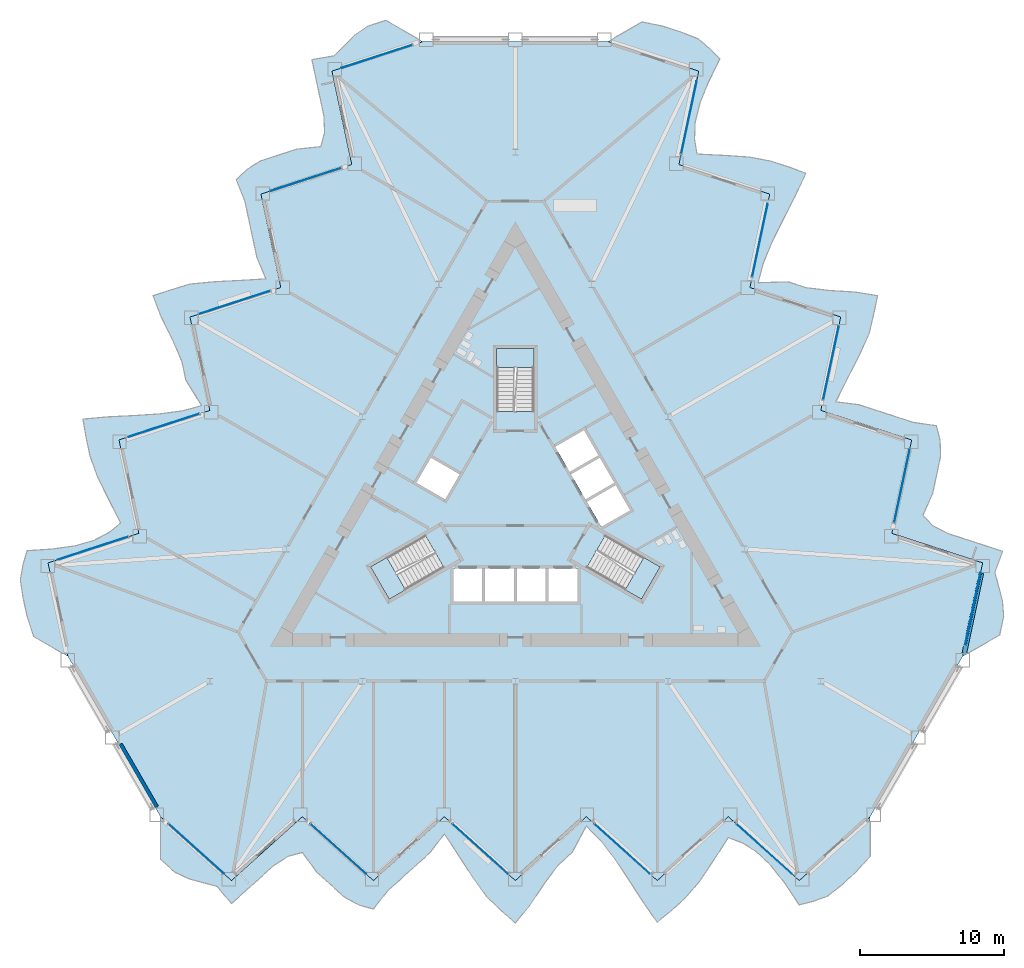
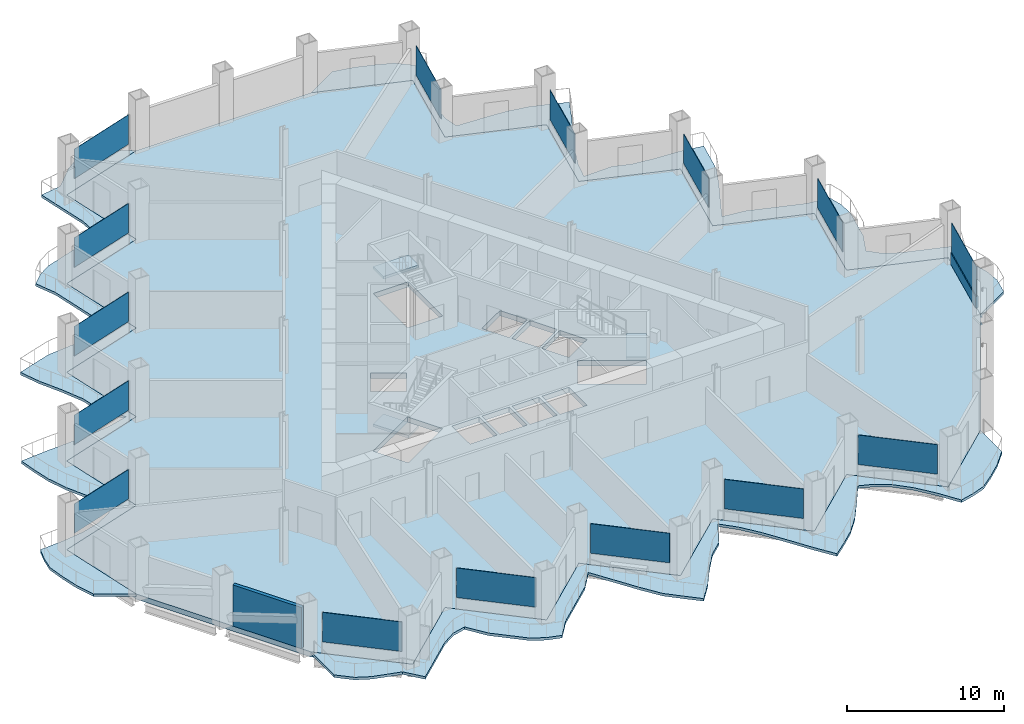
# One storey, part 8 of 21: 15 plates, 7 slabs, 1 beam, 1 member, 1 wall, 18 elements without a shape of their own.
"""IFC4 building model written with IfcOpenShell, lengths in metres."""

from ifc_helpers import new_model, si_unit, direction, frame, frame_2d, origin, origin_2d, place, context, subcontext, project, spatial, polyline, rectangle, i_section, outline, extrude, material, layer, layer_set, material_profile, profile_set, type_object, element, aggregate, save


model = new_model("IFC4")

# Units and contexts
model_context = context("Model", 3, precision=1e-05, world=origin(), true_north=direction((0.0, 1.0)))
body_context = subcontext(model_context, "Body", "Model", "MODEL_VIEW")
ifc_project = project(units=[si_unit("LENGTHUNIT", "METRE"), si_unit("AREAUNIT", "SQUARE_METRE"), si_unit("VOLUMEUNIT", "CUBIC_METRE"), si_unit("PLANEANGLEUNIT", "RADIAN"), si_unit("MASSUNIT", "GRAM", prefix="KILO")], contexts=[model_context])

# Site, building, storey
site_placement = place(None, origin())
site = spatial("IfcSite", under=ifc_project, at=site_placement, CompositionType="ELEMENT")
building_placement = place(site_placement, origin())
building = spatial("IfcBuilding", under=site, at=building_placement, Name="Cormorant Prow Tower", CompositionType="ELEMENT")
storey_placement = place(building_placement, frame((0.0, 0.0, 72.0)))
storey = spatial("IfcBuildingStorey", under=building, at=storey_placement, Name="L15", CompositionType="ELEMENT", Elevation=72.0)

# Curtain wall, member
ifc_material_1 = material(Name="Aluminium 6063-T6", Category="aluminium")
ifc_layer_1 = layer(ifc_material_1, 0.199951171875)
ifc_layer_set_1 = layer_set([ifc_layer_1], Name="Aluminium 6063-T6")
curtain_wall_type = type_object("IfcCurtainWallType", Name="Office unitised curtain wall 200", PredefinedType="NOTDEFINED", material=ifc_layer_set_1)
curtain_wall_1_placement = place(storey_placement, origin())
curtain_wall_1 = element("IfcCurtainWall", 1, at=curtain_wall_1_placement, inside=storey, type_object=curtain_wall_type, Name="Office curtain wall ENE00", PredefinedType="NOTDEFINED")
ifc_material_2 = material(Name="Terracotta", Category="masonry")
ifc_material_profile_1 = material_profile(ifc_material_2, rectangle(XDim=0.159912109375, YDim=0.89990234375, at=origin_2d()), Name="Office terracotta spandrel rail 160x900")
ifc_profile_set_1 = profile_set([ifc_material_profile_1], Name="Terracotta")
member_type = type_object("IfcMemberType", Name="Office terracotta spandrel rail 160x900", PredefinedType="USERDEFINED", material=ifc_profile_set_1)
member_placement = place(storey_placement, frame((31.15869140625, -9.744384765625, 0.449951171875), z_axis=(0.207897305086, 0.978150658405, 0.0), x_axis=(-0.978150658405, 0.207897305086, 0.0)))
member = element("IfcMember", 2, at=member_placement, type_object=member_type, Name="Office spandrel rail ENE00", ObjectType="TRANSOM", PredefinedType="USERDEFINED", context=body_context, shape_type="SweptSolid", body=[
    extrude(rectangle(XDim=0.159912109375, YDim=0.89990234375, at=origin_2d()), origin(), (0.0, 0.0, 1.0), 5.150634765625),
])

# Beam
ifc_material_3 = material(Name="Structural steel ASTM A992 Gr 50", Category="steel")
ifc_material_profile_2 = material_profile(ifc_material_3, i_section(OverallWidth=0.32373046875, OverallDepth=0.611083984375, WebThickness=0.0126953125, FlangeThickness=0.01904296875, at=origin_2d()), Name="W24x104")
ifc_profile_set_2 = profile_set([ifc_material_profile_2], Name="Structural steel ASTM A992 Gr 50")
beam_type = type_object("IfcBeamType", Name="Spandrel beam W24x104", PredefinedType="SPANDREL", material=ifc_profile_set_2)
beam_placement = place(storey_placement, frame((31.10400390625, -10.28466796875, -0.70556640625), z_axis=(0.207900376723, 0.97815000555, 0.0), x_axis=(-0.97815000555, 0.207900376723, 0.0)))
element("IfcBeam", 3, at=beam_placement, inside=storey, type_object=beam_type, Name="Spandrel beam SB1 ENE00-ENE01 L15", PredefinedType="SPANDREL", context=body_context, shape_type="SweptSolid", body=[
    extrude(i_section(OverallWidth=0.32373046875, OverallDepth=0.611083984375, WebThickness=0.0126953125, FlangeThickness=0.01904296875, at=origin_2d()), origin(), (0.0, 0.0, 1.0), 5.6826171875),
])

# Slabs
ifc_material_4 = material(Name="Concrete C40/50", Category="concrete")
ifc_layer_2 = layer(ifc_material_4, 0.199951171875)
ifc_layer_set_2 = layer_set([ifc_layer_2], Name="Concrete C40/50")
slab_type_1 = type_object("IfcSlabType", Name="Balcony slab 200", PredefinedType="FLOOR", material=ifc_layer_set_2)
slab_1_placement = place(storey_placement, frame((0.0, 0.0, -0.199951171875)))
element("IfcSlab", 4, at=slab_1_placement, inside=storey, type_object=slab_type_1, Name="Balcony slab S L15", PredefinedType="FLOOR", context=body_context, shape_type="SweptSolid", body=[
    extrude(outline(polyline([(-24.585205078125, -21.6015625), (-24.585205078125, -24.551513671875), (-23.601806640625, -25.43701171875), (-22.618408203125, -25.906005859375), (-21.635009765625, -26.172607421875), (-20.651611328125, -26.435546875), (-19.668212890625, -27.62890625), (-18.684814453125, -26.743408203125), (-17.701416015625, -25.85791015625), (-16.7177734375, -24.972412109375), (-15.734375, -24.342529296875), (-14.7509765625, -24.083251953125), (-13.767578125, -25.43701171875), (-12.7841796875, -26.322509765625), (-11.80078125, -27.207763671875), (-10.8173828125, -27.72705078125), (-9.833984375, -28.002685546875), (-8.8505859375, -26.743408203125), (-7.8671875, -25.85791015625), (-6.8837890625, -24.972412109375), (-5.900390625, -24.0869140625), (-4.9169921875, -22.793212890625), (-3.93359375, -24.28369140625), (-2.9501953125, -25.80126953125), (-1.966796875, -27.179443359375), (-0.9833984375, -28.09326171875), (0.0, -28.978759765625), (0.9833984375, -27.775634765625), (1.966796875, -26.29052734375), (2.9501953125, -24.972412109375), (3.93359375, -24.0869140625), (4.9169921875, -22.26025390625), (5.900390625, -23.236328125), (6.8837890625, -24.516357421875), (7.8671875, -25.995849609375), (8.8505859375, -27.51806640625), (9.833984375, -28.9150390625), (10.8173828125, -28.09326171875), (11.80078125, -27.207763671875), (12.7841796875, -26.0517578125), (13.767578125, -24.578125), (14.7509765625, -23.05419921875), (15.734375, -23.4189453125), (16.7177734375, -24.03955078125), (17.701416015625, -24.9853515625), (18.684814453125, -26.240966796875), (19.668212890625, -27.70849609375), (20.651611328125, -27.463134765625), (21.635009765625, -27.10693359375), (22.618408203125, -26.322509765625), (23.601806640625, -25.43701171875), (24.585205078125, -24.326171875), (24.585205078125, -21.6015625), (23.601806640625, -22.487060546875), (22.618408203125, -23.372314453125), (21.635009765625, -24.2578125), (20.651611328125, -25.143310546875), (19.668212890625, -26.02880859375), (18.684814453125, -25.143310546875), (17.701416015625, -24.2578125), (16.7177734375, -23.372314453125), (15.734375, -22.487060546875), (14.7509765625, -21.6015625), (13.767578125, -22.487060546875), (12.7841796875, -23.372314453125), (11.80078125, -24.2578125), (10.8173828125, -25.143310546875), (9.833984375, -26.02880859375), (8.8505859375, -25.143310546875), (7.8671875, -24.2578125), (6.8837890625, -23.372314453125), (5.900390625, -22.487060546875), (4.9169921875, -21.6015625), (3.93359375, -22.487060546875), (2.9501953125, -23.372314453125), (1.966796875, -24.2578125), (0.9833984375, -25.143310546875), (0.0, -26.02880859375), (-0.9833984375, -25.143310546875), (-1.966796875, -24.2578125), (-2.9501953125, -23.372314453125), (-3.93359375, -22.487060546875), (-4.9169921875, -21.6015625), (-5.900390625, -22.487060546875), (-6.8837890625, -23.372314453125), (-7.8671875, -24.2578125), (-8.8505859375, -25.143310546875), (-9.833984375, -26.02880859375), (-10.8173828125, -25.143310546875), (-11.80078125, -24.2578125), (-12.7841796875, -23.372314453125), (-13.767578125, -22.487060546875), (-14.7509765625, -21.6015625), (-15.734375, -22.487060546875), (-16.7177734375, -23.372314453125), (-17.701416015625, -24.2578125), (-18.684814453125, -25.143310546875), (-19.668212890625, -26.02880859375), (-20.651611328125, -25.143310546875), (-21.635009765625, -24.2578125), (-22.618408203125, -23.372314453125), (-23.601806640625, -22.487060546875), (-24.585205078125, -21.6015625)])), origin(), (0.0, 0.0, 1.0), 0.199951171875),
])
slab_2_placement = place(storey_placement, frame((0.0, 0.0, -0.199951171875)))
element("IfcSlab", 5, at=slab_2_placement, inside=storey, type_object=slab_type_1, Name="Balcony slab ENE L15", PredefinedType="FLOOR", context=body_context, shape_type="SweptSolid", body=[
    extrude(outline(polyline([(31.0, -10.49072265625), (33.5546875, -9.015625), (33.829833984375, -7.72119140625), (33.744384765625, -6.635009765625), (33.483642578125, -5.650146484375), (33.219482421875, -4.6669921875), (33.76123046875, -3.21875), (32.502685546875, -2.809814453125), (31.244140625, -2.40087890625), (29.985595703125, -1.991943359375), (28.948486328125, -1.455078125), (28.232421875, -0.733154296875), (28.912841796875, 0.79541015625), (29.18798828125, 2.089599609375), (29.463134765625, 3.384033203125), (29.421142578125, 4.495361328125), (29.16796875, 5.48486328125), (27.585693359375, 5.706787109375), (26.3271484375, 6.11572265625), (25.068603515625, 6.524658203125), (23.81005859375, 6.93359375), (22.197998046875, 7.138427734375), (22.9970703125, 8.735107421875), (23.81982421875, 10.345703125), (24.521484375, 11.886474609375), (24.8212890625, 13.195068359375), (25.096435546875, 14.489501953125), (23.562744140625, 14.739501953125), (21.784912109375, 14.8486328125), (20.151611328125, 15.041259765625), (18.89306640625, 15.4501953125), (16.8193359375, 15.388427734375), (17.173095703125, 16.72802734375), (17.789794921875, 18.2197265625), (18.579345703125, 19.81103515625), (19.406005859375, 21.424072265625), (20.124267578125, 22.97412109375), (18.9208984375, 23.414794921875), (17.662353515625, 23.82373046875), (16.16943359375, 24.097412109375), (14.401611328125, 24.212158203125), (12.58984375, 24.3017578125), (12.414306640625, 25.3359375), (12.4599609375, 26.497802734375), (12.787353515625, 27.822509765625), (13.383056640625, 29.302001953125), (14.162109375, 30.88720703125), (13.4580078125, 31.6162109375), (12.65771484375, 32.289794921875), (11.48681640625, 32.749267578125), (10.228271484375, 33.158203125), (8.774658203125, 33.45458984375), (6.414794921875, 32.092041015625), (7.67333984375, 31.68310546875), (8.931884765625, 31.274169921875), (10.1904296875, 30.865234375), (11.448974609375, 30.456298828125), (12.70751953125, 30.04736328125), (12.432373046875, 28.753173828125), (12.1572265625, 27.458740234375), (11.882080078125, 26.164306640625), (11.60693359375, 24.869873046875), (11.331787109375, 23.575439453125), (12.59033203125, 23.166748046875), (13.848876953125, 22.7578125), (15.107421875, 22.348876953125), (16.365966796875, 21.93994140625), (17.62451171875, 21.531005859375), (17.349365234375, 20.236572265625), (17.07421875, 18.942138671875), (16.799072265625, 17.647705078125), (16.52392578125, 16.353515625), (16.2490234375, 15.05908203125), (17.507568359375, 14.650146484375), (18.765869140625, 14.2412109375), (20.0244140625, 13.832275390625), (21.282958984375, 13.42333984375), (22.54150390625, 13.014404296875), (22.266357421875, 11.719970703125), (21.991455078125, 10.425537109375), (21.71630859375, 9.13134765625), (21.441162109375, 7.8369140625), (21.166015625, 6.54248046875), (22.424560546875, 6.133544921875), (23.68310546875, 5.724609375), (24.941650390625, 5.315673828125), (26.2001953125, 4.90673828125), (27.458740234375, 4.497802734375), (27.18359375, 3.203369140625), (26.908447265625, 1.9091796875), (26.63330078125, 0.61474609375), (26.358154296875, -0.6796875), (26.0830078125, -1.97412109375), (27.341552734375, -2.383056640625), (28.60009765625, -2.7919921875), (29.858642578125, -3.200927734375), (31.1171875, -3.60986328125), (32.375732421875, -4.018798828125), (32.1005859375, -5.31298828125), (31.825439453125, -6.607421875), (31.55029296875, -7.90185546875), (31.275146484375, -9.1962890625), (31.0, -10.49072265625)])), origin(), (0.0, 0.0, 1.0), 0.199951171875),
])
slab_3_placement = place(storey_placement, frame((0.0, 0.0, -0.199951171875)))
element("IfcSlab", 6, at=slab_3_placement, inside=storey, type_object=slab_type_1, Name="Balcony slab WNW L15", PredefinedType="FLOOR", context=body_context, shape_type="SweptSolid", body=[
    extrude(outline(polyline([(-6.414794921875, 32.092041015625), (-8.9697265625, 33.567138671875), (-10.228271484375, 33.158203125), (-11.1259765625, 32.541015625), (-11.8486328125, 31.82275390625), (-12.568115234375, 31.1025390625), (-14.09326171875, 30.847412109375), (-13.818115234375, 29.552978515625), (-13.54296875, 28.2587890625), (-13.267822265625, 26.96435546875), (-13.214111328125, 25.7978515625), (-13.481201171875, 24.81640625), (-15.145263671875, 24.6416015625), (-16.40380859375, 24.232666015625), (-17.662353515625, 23.82373046875), (-18.603515625, 23.231689453125), (-19.333984375, 22.517822265625), (-18.735107421875, 21.03662109375), (-18.4599609375, 19.7421875), (-18.184814453125, 18.44775390625), (-17.90966796875, 17.1533203125), (-17.281005859375, 15.65478515625), (-19.0634765625, 15.54833984375), (-20.86962890625, 15.45556640625), (-22.5546875, 15.29296875), (-23.837890625, 14.8984375), (-25.096435546875, 14.489501953125), (-24.546142578125, 13.0361328125), (-23.751708984375, 11.44189453125), (-23.101806640625, 9.93115234375), (-22.82666015625, 8.636962890625), (-21.736328125, 6.871826171875), (-23.073486328125, 6.50830078125), (-24.673583984375, 6.296630859375), (-26.44677734375, 6.1845703125), (-28.2568359375, 6.09423828125), (-29.958251953125, 5.94091796875), (-29.73828125, 4.678466796875), (-29.463134765625, 3.384033203125), (-28.95361328125, 1.954345703125), (-28.169189453125, 0.365966796875), (-27.341064453125, -1.247802734375), (-28.148681640625, -1.9169921875), (-29.177734375, -2.45849609375), (-30.48876953125, -2.837158203125), (-32.067626953125, -3.06103515625), (-33.830322265625, -3.178955078125), (-34.109375, -4.1533203125), (-34.292724609375, -5.182861328125), (-34.10498046875, -6.4267578125), (-33.829833984375, -7.72119140625), (-33.359619140625, -9.128173828125), (-31.0, -10.49072265625), (-31.275146484375, -9.1962890625), (-31.55029296875, -7.90185546875), (-31.825439453125, -6.607421875), (-32.1005859375, -5.31298828125), (-32.375732421875, -4.018798828125), (-31.1171875, -3.60986328125), (-29.858642578125, -3.200927734375), (-28.60009765625, -2.7919921875), (-27.341552734375, -2.383056640625), (-26.0830078125, -1.97412109375), (-26.358154296875, -0.6796875), (-26.63330078125, 0.61474609375), (-26.908447265625, 1.9091796875), (-27.18359375, 3.203369140625), (-27.458740234375, 4.497802734375), (-26.2001953125, 4.90673828125), (-24.941650390625, 5.315673828125), (-23.68310546875, 5.724609375), (-22.424560546875, 6.133544921875), (-21.166015625, 6.54248046875), (-21.441162109375, 7.8369140625), (-21.71630859375, 9.13134765625), (-21.991455078125, 10.425537109375), (-22.266357421875, 11.719970703125), (-22.54150390625, 13.014404296875), (-21.282958984375, 13.42333984375), (-20.0244140625, 13.832275390625), (-18.765869140625, 14.2412109375), (-17.507568359375, 14.650146484375), (-16.2490234375, 15.05908203125), (-16.52392578125, 16.353515625), (-16.799072265625, 17.647705078125), (-17.07421875, 18.942138671875), (-17.349365234375, 20.236572265625), (-17.62451171875, 21.531005859375), (-16.365966796875, 21.93994140625), (-15.107421875, 22.348876953125), (-13.848876953125, 22.7578125), (-12.59033203125, 23.166748046875), (-11.331787109375, 23.575439453125), (-11.60693359375, 24.869873046875), (-11.882080078125, 26.164306640625), (-12.1572265625, 27.458740234375), (-12.432373046875, 28.753173828125), (-12.70751953125, 30.04736328125), (-11.448974609375, 30.456298828125), (-10.1904296875, 30.865234375), (-8.931884765625, 31.274169921875), (-7.67333984375, 31.68310546875), (-6.414794921875, 32.092041015625)])), origin(), (0.0, 0.0, 1.0), 0.199951171875),
])

# Curtain wall, plate
curtain_wall_2_placement = place(storey_placement, origin())
curtain_wall_2 = element("IfcCurtainWall", 7, at=curtain_wall_2_placement, inside=storey, type_object=curtain_wall_type, Name="Office curtain wall S00", PredefinedType="NOTDEFINED")
ifc_material_5 = material(Name="Clear glass", Category="glass")
ifc_layer_3 = layer(ifc_material_5, 0.031982421875)
ifc_layer_set_3 = layer_set([ifc_layer_3], Name="Clear glass")
plate_type = type_object("IfcPlateType", Name="Office glass panel 32", PredefinedType="CURTAIN_PANEL", material=ifc_layer_set_3)
plate_1_placement = place(storey_placement, frame((-22.104248046875, -23.835205078125, 0.89990234375), z_axis=(0.0, 0.0, 1.0), x_axis=(0.743144817746, -0.669130614945, 0.0)))
plate_1 = element("IfcPlate", 8, at=plate_1_placement, type_object=plate_type, Name="Office glass panel S00", PredefinedType="CURTAIN_PANEL", context=body_context, shape_type="SweptSolid", body=[
    extrude(rectangle(XDim=5.150634765625, YDim=0.031982421875, at=origin_2d()), origin(), (0.0, 0.0, 1.0), 2.288818359375),
])
aggregate(curtain_wall_2, [plate_1])

curtain_wall_3_placement = place(storey_placement, origin())
curtain_wall_3 = element("IfcCurtainWall", 9, at=curtain_wall_3_placement, inside=storey, type_object=curtain_wall_type, Name="Office curtain wall S02", PredefinedType="NOTDEFINED")
plate_2_placement = place(storey_placement, frame((-12.270263671875, -23.835205078125, 0.89990234375), z_axis=(0.0, 0.0, 1.0), x_axis=(0.743144817746, -0.669130614945, 0.0)))
plate_2 = element("IfcPlate", 10, at=plate_2_placement, type_object=plate_type, Name="Office glass panel S02", PredefinedType="CURTAIN_PANEL", context=body_context, shape_type="SweptSolid", body=[
    extrude(rectangle(XDim=5.150634765625, YDim=0.031982421875, at=origin_2d()), origin(), (0.0, 0.0, 1.0), 2.288818359375),
])
aggregate(curtain_wall_3, [plate_2])

curtain_wall_4_placement = place(storey_placement, origin())
curtain_wall_4 = element("IfcCurtainWall", 11, at=curtain_wall_4_placement, inside=storey, type_object=curtain_wall_type, Name="Office curtain wall S04", PredefinedType="NOTDEFINED")
plate_3_placement = place(storey_placement, frame((-2.436279296875, -23.835205078125, 0.89990234375), z_axis=(0.0, 0.0, 1.0), x_axis=(0.743144817746, -0.669130614945, 0.0)))
plate_3 = element("IfcPlate", 12, at=plate_3_placement, type_object=plate_type, Name="Office glass panel S04", PredefinedType="CURTAIN_PANEL", context=body_context, shape_type="SweptSolid", body=[
    extrude(rectangle(XDim=5.150634765625, YDim=0.031982421875, at=origin_2d()), origin(), (0.0, 0.0, 1.0), 2.288818359375),
])
aggregate(curtain_wall_4, [plate_3])

curtain_wall_5_placement = place(storey_placement, origin())
curtain_wall_5 = element("IfcCurtainWall", 13, at=curtain_wall_5_placement, inside=storey, type_object=curtain_wall_type, Name="Office curtain wall S06", PredefinedType="NOTDEFINED")
plate_4_placement = place(storey_placement, frame((7.39794921875, -23.835205078125, 0.89990234375), z_axis=(0.0, 0.0, 1.0), x_axis=(0.743144817746, -0.669130614945, 0.0)))
plate_4 = element("IfcPlate", 14, at=plate_4_placement, type_object=plate_type, Name="Office glass panel S06", PredefinedType="CURTAIN_PANEL", context=body_context, shape_type="SweptSolid", body=[
    extrude(rectangle(XDim=5.150634765625, YDim=0.031982421875, at=origin_2d()), origin(), (0.0, 0.0, 1.0), 2.288818359375),
])
aggregate(curtain_wall_5, [plate_4])

curtain_wall_6_placement = place(storey_placement, origin())
curtain_wall_6 = element("IfcCurtainWall", 15, at=curtain_wall_6_placement, inside=storey, type_object=curtain_wall_type, Name="Office curtain wall S08", PredefinedType="NOTDEFINED")
plate_5_placement = place(storey_placement, frame((17.23193359375, -23.835205078125, 0.89990234375), z_axis=(0.0, 0.0, 1.0), x_axis=(0.743144817746, -0.669130614945, 0.0)))
plate_5 = element("IfcPlate", 16, at=plate_5_placement, type_object=plate_type, Name="Office glass panel S08", PredefinedType="CURTAIN_PANEL", context=body_context, shape_type="SweptSolid", body=[
    extrude(rectangle(XDim=5.150634765625, YDim=0.031982421875, at=origin_2d()), origin(), (0.0, 0.0, 1.0), 2.288818359375),
])
aggregate(curtain_wall_6, [plate_5])

# Plate
plate_6_placement = place(storey_placement, frame((31.694091796875, -7.225341796875, 0.89990234375), z_axis=(0.0, 0.0, 1.0), x_axis=(0.20791175581, 0.978147586919, 0.0)))
plate_6 = element("IfcPlate", 17, at=plate_6_placement, type_object=plate_type, Name="Office glass panel ENE00", PredefinedType="CURTAIN_PANEL", context=body_context, shape_type="SweptSolid", body=[
    extrude(rectangle(XDim=5.150634765625, YDim=0.031982421875, at=origin_2d()), origin(), (0.0, 0.0, 1.0), 2.288818359375),
])

aggregate(curtain_wall_1, [member, plate_6])

# Curtain wall, plate
curtain_wall_7_placement = place(storey_placement, origin())
curtain_wall_7 = element("IfcCurtainWall", 18, at=curtain_wall_7_placement, inside=storey, type_object=curtain_wall_type, Name="Office curtain wall ENE02", PredefinedType="NOTDEFINED")
plate_7_placement = place(storey_placement, frame((26.777099609375, 1.291259765625, 0.89990234375), z_axis=(0.0, 0.0, 1.0), x_axis=(0.20791175581, 0.978147586919, 0.0)))
plate_7 = element("IfcPlate", 19, at=plate_7_placement, type_object=plate_type, Name="Office glass panel ENE02", PredefinedType="CURTAIN_PANEL", context=body_context, shape_type="SweptSolid", body=[
    extrude(rectangle(XDim=5.150634765625, YDim=0.031982421875, at=origin_2d()), origin(), (0.0, 0.0, 1.0), 2.288818359375),
])
aggregate(curtain_wall_7, [plate_7])

curtain_wall_8_placement = place(storey_placement, origin())
curtain_wall_8 = element("IfcCurtainWall", 20, at=curtain_wall_8_placement, inside=storey, type_object=curtain_wall_type, Name="Office curtain wall ENE04", PredefinedType="NOTDEFINED")
plate_8_placement = place(storey_placement, frame((21.860107421875, 9.807861328125, 0.89990234375), z_axis=(0.0, 0.0, 1.0), x_axis=(0.20791175581, 0.978147586919, 0.0)))
plate_8 = element("IfcPlate", 21, at=plate_8_placement, type_object=plate_type, Name="Office glass panel ENE04", PredefinedType="CURTAIN_PANEL", context=body_context, shape_type="SweptSolid", body=[
    extrude(rectangle(XDim=5.150634765625, YDim=0.031982421875, at=origin_2d()), origin(), (0.0, 0.0, 1.0), 2.288818359375),
])
aggregate(curtain_wall_8, [plate_8])

curtain_wall_9_placement = place(storey_placement, origin())
curtain_wall_9 = element("IfcCurtainWall", 22, at=curtain_wall_9_placement, inside=storey, type_object=curtain_wall_type, Name="Office curtain wall ENE06", PredefinedType="NOTDEFINED")
plate_9_placement = place(storey_placement, frame((16.94287109375, 18.32421875, 0.89990234375), z_axis=(0.0, 0.0, 1.0), x_axis=(0.20791175581, 0.978147586919, 0.0)))
plate_9 = element("IfcPlate", 23, at=plate_9_placement, type_object=plate_type, Name="Office glass panel ENE06", PredefinedType="CURTAIN_PANEL", context=body_context, shape_type="SweptSolid", body=[
    extrude(rectangle(XDim=5.150634765625, YDim=0.031982421875, at=origin_2d()), origin(), (0.0, 0.0, 1.0), 2.288818359375),
])
aggregate(curtain_wall_9, [plate_9])

curtain_wall_10_placement = place(storey_placement, origin())
curtain_wall_10 = element("IfcCurtainWall", 24, at=curtain_wall_10_placement, inside=storey, type_object=curtain_wall_type, Name="Office curtain wall ENE08", PredefinedType="NOTDEFINED")
plate_10_placement = place(storey_placement, frame((12.02587890625, 26.8408203125, 0.89990234375), z_axis=(0.0, 0.0, 1.0), x_axis=(0.20791175581, 0.978147586919, 0.0)))
plate_10 = element("IfcPlate", 25, at=plate_10_placement, type_object=plate_type, Name="Office glass panel ENE08", PredefinedType="CURTAIN_PANEL", context=body_context, shape_type="SweptSolid", body=[
    extrude(rectangle(XDim=5.150634765625, YDim=0.031982421875, at=origin_2d()), origin(), (0.0, 0.0, 1.0), 2.288818359375),
])
aggregate(curtain_wall_10, [plate_10])

curtain_wall_11_placement = place(storey_placement, origin())
curtain_wall_11 = element("IfcCurtainWall", 26, at=curtain_wall_11_placement, inside=storey, type_object=curtain_wall_type, Name="Office curtain wall WNW00", PredefinedType="NOTDEFINED")
plate_11_placement = place(storey_placement, frame((-9.58984375, 31.060546875, 0.89990234375), z_axis=(0.0, 0.0, 1.0), x_axis=(-0.951056531806, -0.309016946636, 0.0)))
plate_11 = element("IfcPlate", 27, at=plate_11_placement, type_object=plate_type, Name="Office glass panel WNW00", PredefinedType="CURTAIN_PANEL", context=body_context, shape_type="SweptSolid", body=[
    extrude(rectangle(XDim=5.150634765625, YDim=0.031982421875, at=origin_2d()), origin(), (0.0, 0.0, 1.0), 2.288818359375),
])
aggregate(curtain_wall_11, [plate_11])

curtain_wall_12_placement = place(storey_placement, origin())
curtain_wall_12 = element("IfcCurtainWall", 28, at=curtain_wall_12_placement, inside=storey, type_object=curtain_wall_type, Name="Office curtain wall WNW02", PredefinedType="NOTDEFINED")
plate_12_placement = place(storey_placement, frame((-14.5068359375, 22.5439453125, 0.89990234375), z_axis=(0.0, 0.0, 1.0), x_axis=(-0.951056531806, -0.309016946636, 0.0)))
plate_12 = element("IfcPlate", 29, at=plate_12_placement, type_object=plate_type, Name="Office glass panel WNW02", PredefinedType="CURTAIN_PANEL", context=body_context, shape_type="SweptSolid", body=[
    extrude(rectangle(XDim=5.150634765625, YDim=0.031982421875, at=origin_2d()), origin(), (0.0, 0.0, 1.0), 2.288818359375),
])
aggregate(curtain_wall_12, [plate_12])

curtain_wall_13_placement = place(storey_placement, origin())
curtain_wall_13 = element("IfcCurtainWall", 30, at=curtain_wall_13_placement, inside=storey, type_object=curtain_wall_type, Name="Office curtain wall WNW04", PredefinedType="NOTDEFINED")
plate_13_placement = place(storey_placement, frame((-19.423828125, 14.02734375, 0.89990234375), z_axis=(0.0, 0.0, 1.0), x_axis=(-0.951056531806, -0.309016946636, 0.0)))
plate_13 = element("IfcPlate", 31, at=plate_13_placement, type_object=plate_type, Name="Office glass panel WNW04", PredefinedType="CURTAIN_PANEL", context=body_context, shape_type="SweptSolid", body=[
    extrude(rectangle(XDim=5.150634765625, YDim=0.031982421875, at=origin_2d()), origin(), (0.0, 0.0, 1.0), 2.288818359375),
])
aggregate(curtain_wall_13, [plate_13])

curtain_wall_14_placement = place(storey_placement, origin())
curtain_wall_14 = element("IfcCurtainWall", 32, at=curtain_wall_14_placement, inside=storey, type_object=curtain_wall_type, Name="Office curtain wall WNW06", PredefinedType="NOTDEFINED")
plate_14_placement = place(storey_placement, frame((-24.3408203125, 5.510986328125, 0.89990234375), z_axis=(0.0, 0.0, 1.0), x_axis=(-0.951056531806, -0.309016946636, 0.0)))
plate_14 = element("IfcPlate", 33, at=plate_14_placement, type_object=plate_type, Name="Office glass panel WNW06", PredefinedType="CURTAIN_PANEL", context=body_context, shape_type="SweptSolid", body=[
    extrude(rectangle(XDim=5.150634765625, YDim=0.031982421875, at=origin_2d()), origin(), (0.0, 0.0, 1.0), 2.288818359375),
])
aggregate(curtain_wall_14, [plate_14])

curtain_wall_15_placement = place(storey_placement, origin())
curtain_wall_15 = element("IfcCurtainWall", 34, at=curtain_wall_15_placement, inside=storey, type_object=curtain_wall_type, Name="Office curtain wall WNW08", PredefinedType="NOTDEFINED")
plate_15_placement = place(storey_placement, frame((-29.2578125, -3.005615234375, 0.89990234375), z_axis=(0.0, 0.0, 1.0), x_axis=(-0.951056531806, -0.309016946636, 0.0)))
plate_15 = element("IfcPlate", 35, at=plate_15_placement, type_object=plate_type, Name="Office glass panel WNW08", PredefinedType="CURTAIN_PANEL", context=body_context, shape_type="SweptSolid", body=[
    extrude(rectangle(XDim=5.150634765625, YDim=0.031982421875, at=origin_2d()), origin(), (0.0, 0.0, 1.0), 2.288818359375),
])
aggregate(curtain_wall_15, [plate_15])

# Slab
ifc_material_6 = material(Name="Concrete C40/50", Category="concrete")
ifc_layer_4 = layer(ifc_material_6, 0.39990234375)
ifc_layer_set_4 = layer_set([ifc_layer_4], Name="Concrete C40/50")
slab_type_2 = type_object("IfcSlabType", Name="Post-tensioned flat slab 400", PredefinedType="FLOOR", material=ifc_layer_set_4)
slab_4_placement = place(storey_placement, frame((0.0, 0.0, -0.39990234375)))
element("IfcSlab", 36, at=slab_4_placement, inside=storey, type_object=slab_type_2, Name="Floor slab L15", PredefinedType="FLOOR", context=body_context, shape_type="SweptSolid", body=[
    extrude(outline(polyline([(-12.70751953125, 30.04736328125), (-11.331787109375, 23.575439453125), (-17.62451171875, 21.531005859375), (-16.2490234375, 15.05908203125), (-22.54150390625, 13.014404296875), (-21.166015625, 6.54248046875), (-27.458740234375, 4.497802734375), (-26.0830078125, -1.97412109375), (-32.375732421875, -4.018798828125), (-31.0, -10.49072265625), (-27.79248046875, -16.046142578125), (-24.585205078125, -21.6015625), (-19.668212890625, -26.02880859375), (-14.7509765625, -21.6015625), (-9.833984375, -26.02880859375), (-4.9169921875, -21.6015625), (0.0, -26.02880859375), (4.9169921875, -21.6015625), (9.833984375, -26.02880859375), (14.7509765625, -21.6015625), (19.668212890625, -26.02880859375), (24.585205078125, -21.6015625), (27.79248046875, -16.046142578125), (31.0, -10.49072265625), (32.375732421875, -4.018798828125), (26.0830078125, -1.97412109375), (27.458740234375, 4.497802734375), (21.166015625, 6.54248046875), (22.54150390625, 13.014404296875), (16.2490234375, 15.05908203125), (17.62451171875, 21.531005859375), (11.331787109375, 23.575439453125), (12.70751953125, 30.04736328125), (6.414794921875, 32.092041015625), (0.0, 32.092041015625), (-6.414794921875, 32.092041015625), (-12.70751953125, 30.04736328125)]), holes=[polyline([(-4.300048828125, -6.699951171875), (-4.300048828125, -4.39990234375), (-2.300048828125, -4.39990234375), (-2.300048828125, -6.699951171875), (-4.300048828125, -6.699951171875)]), polyline([(-2.10009765625, -4.39990234375), (-0.10009765625, -4.39990234375), (-0.10009765625, -6.699951171875), (-2.10009765625, -6.699951171875), (-2.10009765625, -4.39990234375)]), polyline([(2.10009765625, -4.39990234375), (2.10009765625, -6.699951171875), (0.10009765625, -6.699951171875), (0.10009765625, -4.39990234375), (2.10009765625, -4.39990234375)]), polyline([(4.300048828125, -6.699951171875), (2.300048828125, -6.699951171875), (2.300048828125, -4.39990234375), (4.300048828125, -4.39990234375), (4.300048828125, -6.699951171875)]), polyline([(7.952392578125, -0.373779296875), (5.96044921875, -1.52392578125), (4.96044921875, 0.2080078125), (6.952392578125, 1.358154296875), (7.952392578125, -0.373779296875)]), polyline([(4.860595703125, 0.38134765625), (3.860595703125, 2.11328125), (5.852294921875, 3.263427734375), (6.852294921875, 1.53125), (4.860595703125, 0.38134765625)]), polyline([(2.760498046875, 4.018798828125), (4.75244140625, 5.168701171875), (5.75244140625, 3.4365234375), (3.760498046875, 2.28662109375), (2.760498046875, 4.018798828125)]), polyline([(-6.852294921875, 1.53125), (-5.852294921875, 3.263427734375), (-3.860595703125, 2.11328125), (-4.860595703125, 0.38134765625), (-6.852294921875, 1.53125)]), polyline([(-4.947509765625, -4.3505859375), (-8.738037109375, -6.5390625), (-10.031982421875, -4.2978515625), (-6.241455078125, -2.109375), (-4.947509765625, -4.3505859375)]), polyline([(10.031982421875, -4.2978515625), (8.738037109375, -6.5390625), (4.947509765625, -4.3505859375), (6.241455078125, -2.109375), (10.031982421875, -4.2978515625)]), polyline([(1.2939453125, 10.8369140625), (1.2939453125, 6.459716796875), (-1.2939453125, 6.459716796875), (-1.2939453125, 10.8369140625), (1.2939453125, 10.8369140625)])]), origin(), (0.0, 0.0, 1.0), 0.39990234375),
])

# Stair, slab
ifc_material_7 = material(Name="Exit stair 24 risers")
stair_type = type_object("IfcStairType", Name="Exit stair 24 risers", PredefinedType="HALF_TURN_STAIR", material=ifc_material_7)
stair_1_placement = place(storey_placement, origin())
stair_1 = element("IfcStair", 37, at=stair_1_placement, inside=storey, type_object=stair_type, Name="L15 Exit stair ST1", PredefinedType="HALF_TURN_STAIR")
ifc_material_8 = material(Name="Concrete 5000 psi", Category="concrete")
ifc_layer_5 = layer(ifc_material_8, 0.199951171875)
ifc_layer_set_5 = layer_set([ifc_layer_5], Name="Concrete 5000 psi")
slab_type_3 = type_object("IfcSlabType", Name="Stair landing 200", PredefinedType="LANDING", material=ifc_layer_set_5)
slab_5_placement = place(storey_placement, frame((0.0, 0.0, 1.89990234375)))
slab_5 = element("IfcSlab", 38, at=slab_5_placement, type_object=slab_type_3, Name="ST1 landing 1", PredefinedType="LANDING", context=body_context, shape_type="SweptSolid", body=[
    extrude(outline(polyline([(-8.90185546875, -3.645263671875), (-10.031982421875, -4.2978515625), (-8.738037109375, -6.5390625), (-7.60791015625, -5.886474609375), (-8.90185546875, -3.645263671875)])), origin(), (0.0, 0.0, 1.0), 0.2001953125),
])
aggregate(stair_1, [slab_5])

stair_2_placement = place(storey_placement, origin())
stair_2 = element("IfcStair", 39, at=stair_2_placement, inside=storey, type_object=stair_type, Name="L15 Exit stair ST2", PredefinedType="HALF_TURN_STAIR")
slab_6_placement = place(storey_placement, frame((0.0, 0.0, 1.89990234375)))
slab_6 = element("IfcSlab", 40, at=slab_6_placement, type_object=slab_type_3, Name="ST2 landing 1", PredefinedType="LANDING", context=body_context, shape_type="SweptSolid", body=[
    extrude(outline(polyline([(7.60791015625, -5.886474609375), (8.738037109375, -6.5390625), (10.031982421875, -4.2978515625), (8.90185546875, -3.645263671875), (7.60791015625, -5.886474609375)])), origin(), (0.0, 0.0, 1.0), 0.2001953125),
])
aggregate(stair_2, [slab_6])

stair_3_placement = place(storey_placement, origin())
stair_3 = element("IfcStair", 41, at=stair_3_placement, inside=storey, type_object=stair_type, Name="L15 Exit stair ST3", PredefinedType="HALF_TURN_STAIR")
slab_7_placement = place(storey_placement, frame((0.0, 0.0, 1.89990234375)))
slab_7 = element("IfcSlab", 42, at=slab_7_placement, type_object=slab_type_3, Name="ST3 landing 1", PredefinedType="LANDING", context=body_context, shape_type="SweptSolid", body=[
    extrude(outline(polyline([(1.2939453125, 9.53173828125), (1.2939453125, 10.8369140625), (-1.2939453125, 10.8369140625), (-1.2939453125, 9.53173828125), (1.2939453125, 9.53173828125)])), origin(), (0.0, 0.0, 1.0), 0.2001953125),
])
aggregate(stair_3, [slab_7])

# Wall
ifc_material_9 = material(Name="Terracotta", Category="masonry")
ifc_layer_6 = layer(ifc_material_9, 0.25)
ifc_layer_set_6 = layer_set([ifc_layer_6], Name="Terracotta")
wall_type = type_object("IfcWallType", Name="Terracotta bay wall 250", PredefinedType="SOLIDWALL", material=ifc_layer_set_6)
wall_placement = place(storey_placement, frame((-27.34765625, -16.56689453125, 0.0), z_axis=(0.0, 0.0, 1.0), x_axis=(0.500021659459, -0.866012898329, 0.0)))
element("IfcWall", 43, at=wall_placement, inside=storey, type_object=wall_type, Name="Terracotta bay wall WSW01", PredefinedType="SOLIDWALL", context=body_context, shape_type="SweptSolid", body=[
    extrude(rectangle(XDim=5.038330078125, YDim=0.25, at=frame_2d((2.51904296875, 0.0))), origin(), (0.0, 0.0, 1.0), 3.18896484375),
])

save(model, "model.ifc")
